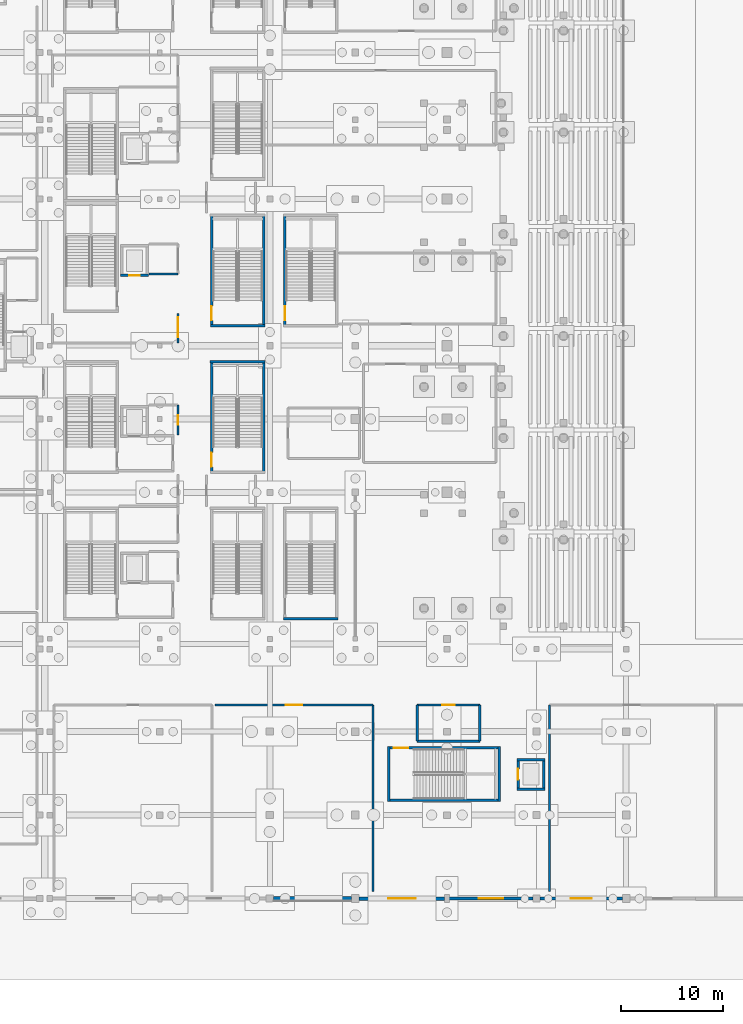
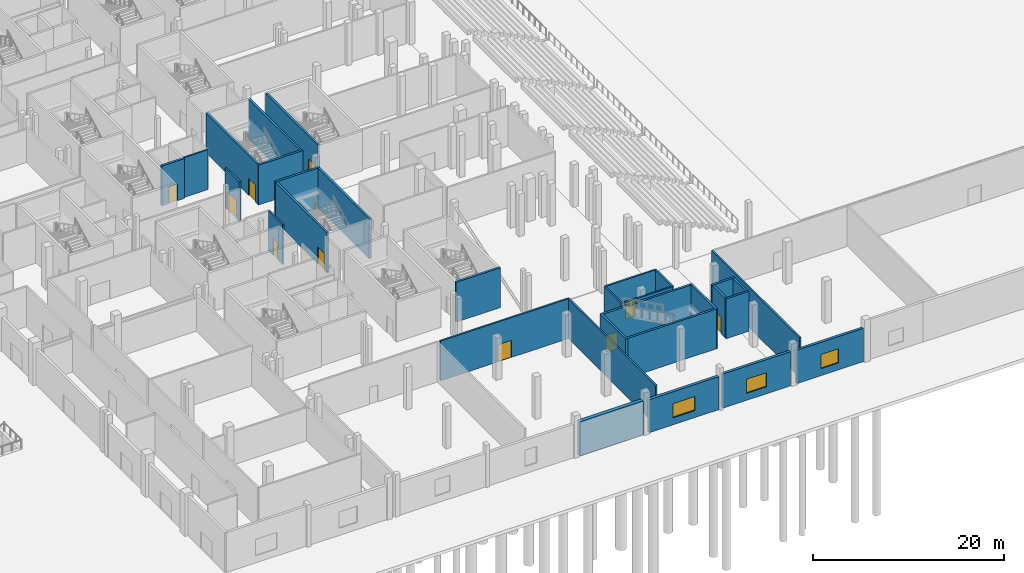
# One storey, part 31 of 89: 31 walls, 10 doors, 3 windows, 13 openings.
"""IFC4 building model written with IfcOpenShell, lengths in metres."""

from ifc_helpers import new_model, si_unit, direction, frame, frame_2d, origin, place, context, subcontext, project, spatial, rectangle, extrude, material, layer, layer_set, type_object, element, fill, save


model = new_model("IFC4")

# Units and contexts
model_context = context("Model", 3, precision=1e-05, world=origin(), true_north=direction((0.0, 1.0)))
body_context = subcontext(model_context, "Body", "Model", "MODEL_VIEW")
ifc_project = project(units=[si_unit("LENGTHUNIT", "METRE"), si_unit("AREAUNIT", "SQUARE_METRE"), si_unit("VOLUMEUNIT", "CUBIC_METRE"), si_unit("PLANEANGLEUNIT", "RADIAN"), si_unit("MASSUNIT", "GRAM", prefix="KILO")], contexts=[model_context])

# Site, building, storey
site_placement = place(None, origin())
site = spatial("IfcSite", under=ifc_project, at=site_placement, CompositionType="ELEMENT")
building_placement = place(site_placement, origin())
building = spatial("IfcBuilding", under=site, at=building_placement, Name="Koshinbarg Plaza Stadium", CompositionType="ELEMENT")
storey_placement = place(building_placement, origin())
storey = spatial("IfcBuildingStorey", under=building, at=storey_placement, Name="L00", CompositionType="ELEMENT", Elevation=0.0)

# Walls
ifc_material_1 = material(Name="Concrete C40/50", Category="concrete")
ifc_layer_1 = layer(ifc_material_1, 0.25)
ifc_layer_set_1 = layer_set([ifc_layer_1], Name="Concrete C40/50")
wall_type_1 = type_object("IfcWallType", Name="WL-CORE-250", PredefinedType="SHEAR", material=ifc_layer_set_1)
for number, where, z_axis, x_axis, name in (
    (1, (57.875, 14.919921875, 0.0), (0.0, 0.0, 1.0), (0.0, -1.0, 0.0), "L00 core stair shear wall C13-near IWL-L00-0290"),
    (2, (68.72509765625, 9.550048828125, 0.0), (0.0, 0.0, 1.0), (0.0, 1.0, 0.0), "L00 core stair shear wall C13-far IWL-L00-0291"),
):
    element("IfcWall", number, at=place(storey_placement, frame(where, z_axis=z_axis, x_axis=x_axis)), inside=storey, type_object=wall_type_1, Name=name, PredefinedType="SHEAR", context=body_context, shape_type="SweptSolid", body=[
        extrude(rectangle(XDim=5.369873046875, YDim=0.25, at=frame_2d((2.68505859375, 0.0))), origin(), (0.0, 0.0, 1.0), 5.080078125),
    ])

# Wall, opening, door
wall_1_placement = place(storey_placement, frame((57.875, 14.794921875, 0.0), z_axis=(0.0, 0.0, 1.0), x_axis=(1.0, 0.0, 0.0)))
wall_1 = element("IfcWall", 3, at=wall_1_placement, inside=storey, type_object=wall_type_1, Name="L00 core stair shear wall C13-left IWL-L00-0292", PredefinedType="SHEAR", context=body_context, shape_type="SweptSolid", body=[
    extrude(rectangle(XDim=10.85009765625, YDim=0.25, at=frame_2d((5.425048828125, 0.0))), origin(), (0.0, 0.0, 1.0), 5.080078125),
])
opening_1_placement = place(wall_1_placement, frame((0.52001953125, 0.0, 0.0)))
opening_1 = element("IfcOpeningElement", 4, at=opening_1_placement, cuts=wall_1, Name="Opening D-0135", PredefinedType="OPENING", context=body_context, shape_type="SweptSolid", body=[
    extrude(rectangle(XDim=1.39990234375, YDim=2.14990234375, at=frame_2d((0.699951171875, 1.074951171875))), frame((0.0, 0.135009765625, 0.0), z_axis=(0.0, -1.0, 0.0), x_axis=(1.0, 0.0, 0.0)), (0.0, 0.0, 1.0), 0.27001953125),
])
ifc_material_2 = material(Name="Painted galvanized steel fire door", Category="steel")
door_type_1 = type_object("IfcDoorType", Name="DR-STAIR-1400", OperationType="NOTDEFINED", PredefinedType="DOOR", material=ifc_material_2)
door_1_placement = place(opening_1_placement, origin())
door_1 = element("IfcDoor", 5, at=door_1_placement, inside=storey, type_object=door_type_1, Name="L00 exit stair door C13", OperationType="SINGLE_SWING_LEFT", OverallHeight=2.14990234375, OverallWidth=1.39990234375, PredefinedType="DOOR", context=body_context, shape_type="SweptSolid", body=[
    extrude(rectangle(XDim=1.39990234375, YDim=2.14990234375, at=frame_2d((0.699951171875, 1.074951171875))), frame((0.0, 0.02490234375, 0.0), z_axis=(0.0, -1.0, 0.0), x_axis=(1.0, 0.0, 0.0)), (0.0, 0.0, 1.0), 0.050048828125),
])
fill(opening_1, door_1)

# Walls
wall_2_placement = place(storey_placement, frame((57.875, 9.675048828125, 0.0), z_axis=(0.0, 0.0, 1.0), x_axis=(1.0, 0.0, 0.0)))
element("IfcWall", 6, at=wall_2_placement, inside=storey, type_object=wall_type_1, Name="L00 core stair shear wall C13-right IWL-L00-0293", PredefinedType="SHEAR", context=body_context, shape_type="SweptSolid", body=[
    extrude(rectangle(XDim=10.85009765625, YDim=0.25, at=frame_2d((5.425048828125, 0.0))), origin(), (0.0, 0.0, 1.0), 5.080078125),
])
wall_3_placement = place(storey_placement, frame((45.719970703125, 52.72509765625, 0.0), z_axis=(0.0, 0.0, 1.0), x_axis=(-1.0, 0.0, 0.0)))
element("IfcWall", 7, at=wall_3_placement, inside=storey, type_object=wall_type_1, Name="L00 vomitory stair shear wall VX02-far IWL-L00-0371", PredefinedType="SHEAR", context=body_context, shape_type="SweptSolid", body=[
    extrude(rectangle(XDim=5.369873046875, YDim=0.25, at=frame_2d((2.68505859375, 0.0))), origin(), (0.0, 0.0, 1.0), 5.080078125),
])

# Wall, opening, door
wall_4_placement = place(storey_placement, frame((40.47509765625, 41.875, 0.0), z_axis=(0.0, 0.0, 1.0), x_axis=(0.0, 1.0, 0.0)))
wall_4 = element("IfcWall", 8, at=wall_4_placement, inside=storey, type_object=wall_type_1, Name="L00 vomitory stair shear wall VX02-left IWL-L00-0372", PredefinedType="SHEAR", context=body_context, shape_type="SweptSolid", body=[
    extrude(rectangle(XDim=10.85009765625, YDim=0.25, at=frame_2d((5.425048828125, 0.0))), origin(), (0.0, 0.0, 1.0), 5.080078125),
])
opening_2_placement = place(wall_4_placement, frame((0.52001953125, 0.0, 0.0)))
opening_2 = element("IfcOpeningElement", 9, at=opening_2_placement, cuts=wall_4, Name="Opening D-0155", PredefinedType="OPENING", context=body_context, shape_type="SweptSolid", body=[
    extrude(rectangle(XDim=1.39990234375, YDim=2.14990234375, at=frame_2d((0.699951171875, 1.074951171875))), frame((0.0, 0.135009765625, 0.0), z_axis=(0.0, -1.0, 0.0), x_axis=(1.0, 0.0, 0.0)), (0.0, 0.0, 1.0), 0.27001953125),
])
door_2_placement = place(opening_2_placement, origin())
door_2 = element("IfcDoor", 10, at=door_2_placement, inside=storey, type_object=door_type_1, Name="L00 vomitory exit stair door VX02", OperationType="SINGLE_SWING_LEFT", OverallHeight=2.14990234375, OverallWidth=1.39990234375, PredefinedType="DOOR", context=body_context, shape_type="SweptSolid", body=[
    extrude(rectangle(XDim=1.39990234375, YDim=2.14990234375, at=frame_2d((0.699951171875, 1.074951171875))), frame((0.0, 0.02490234375, 0.0), z_axis=(0.0, -1.0, 0.0), x_axis=(1.0, 0.0, 0.0)), (0.0, 0.0, 1.0), 0.050048828125),
])
fill(opening_2, door_2)

# Walls
wall_5_placement = place(storey_placement, frame((45.594970703125, 41.875, 0.0), z_axis=(0.0, 0.0, 1.0), x_axis=(0.0, 1.0, 0.0)))
element("IfcWall", 11, at=wall_5_placement, inside=storey, type_object=wall_type_1, Name="L00 vomitory stair shear wall VX02-right IWL-L00-0373", PredefinedType="SHEAR", context=body_context, shape_type="SweptSolid", body=[
    extrude(rectangle(XDim=10.85009765625, YDim=0.25, at=frame_2d((5.425048828125, 0.0))), origin(), (0.0, 0.0, 1.0), 5.080078125),
])
wall_6_placement = place(storey_placement, frame((40.35009765625, 56.27490234375, 0.0), z_axis=(0.0, 0.0, 1.0), x_axis=(1.0, 0.0, 0.0)))
element("IfcWall", 12, at=wall_6_placement, inside=storey, type_object=wall_type_1, Name="L00 vomitory stair shear wall VX03-near IWL-L00-0386", PredefinedType="SHEAR", context=body_context, shape_type="SweptSolid", body=[
    extrude(rectangle(XDim=5.369873046875, YDim=0.25, at=frame_2d((2.68505859375, 0.0))), origin(), (0.0, 0.0, 1.0), 5.080078125),
])

# Wall, opening, door
wall_7_placement = place(storey_placement, frame((40.47509765625, 56.27490234375, 0.0), z_axis=(0.0, 0.0, 1.0), x_axis=(0.0, 1.0, 0.0)))
wall_7 = element("IfcWall", 13, at=wall_7_placement, inside=storey, type_object=wall_type_1, Name="L00 vomitory stair shear wall VX03-left IWL-L00-0388", PredefinedType="SHEAR", context=body_context, shape_type="SweptSolid", body=[
    extrude(rectangle(XDim=10.85009765625, YDim=0.25, at=frame_2d((5.425048828125, 0.0))), origin(), (0.0, 0.0, 1.0), 5.080078125),
])
opening_3_placement = place(wall_7_placement, frame((0.52001953125, 0.0, 0.0)))
opening_3 = element("IfcOpeningElement", 14, at=opening_3_placement, cuts=wall_7, Name="Opening D-0159", PredefinedType="OPENING", context=body_context, shape_type="SweptSolid", body=[
    extrude(rectangle(XDim=1.39990234375, YDim=2.14990234375, at=frame_2d((0.699951171875, 1.074951171875))), frame((0.0, 0.135009765625, 0.0), z_axis=(0.0, -1.0, 0.0), x_axis=(1.0, 0.0, 0.0)), (0.0, 0.0, 1.0), 0.27001953125),
])
door_3_placement = place(opening_3_placement, origin())
door_3 = element("IfcDoor", 15, at=door_3_placement, inside=storey, type_object=door_type_1, Name="L00 vomitory exit stair door VX03", OperationType="SINGLE_SWING_RIGHT", OverallHeight=2.14990234375, OverallWidth=1.39990234375, PredefinedType="DOOR", context=body_context, shape_type="SweptSolid", body=[
    extrude(rectangle(XDim=1.39990234375, YDim=2.14990234375, at=frame_2d((0.699951171875, 1.074951171875))), frame((0.0, 0.02490234375, 0.0), z_axis=(0.0, -1.0, 0.0), x_axis=(1.0, 0.0, 0.0)), (0.0, 0.0, 1.0), 0.050048828125),
])
fill(opening_3, door_3)

# Walls
wall_8_placement = place(storey_placement, frame((45.594970703125, 56.27490234375, 0.0), z_axis=(0.0, 0.0, 1.0), x_axis=(0.0, 1.0, 0.0)))
element("IfcWall", 16, at=wall_8_placement, inside=storey, type_object=wall_type_1, Name="L00 vomitory stair shear wall VX03-right IWL-L00-0389", PredefinedType="SHEAR", context=body_context, shape_type="SweptSolid", body=[
    extrude(rectangle(XDim=10.85009765625, YDim=0.25, at=frame_2d((5.425048828125, 0.0))), origin(), (0.0, 0.0, 1.0), 5.080078125),
])
wall_9_placement = place(storey_placement, frame((47.550048828125, 27.47509765625, 0.0), z_axis=(0.0, 0.0, 1.0), x_axis=(1.0, 0.0, 0.0)))
element("IfcWall", 17, at=wall_9_placement, inside=storey, type_object=wall_type_1, Name="L00 vomitory stair shear wall VL01-near IWL-L00-0546", PredefinedType="SHEAR", context=body_context, shape_type="SweptSolid", body=[
    extrude(rectangle(XDim=5.369873046875, YDim=0.25, at=frame_2d((2.68505859375, 0.0))), origin(), (0.0, 0.0, 1.0), 5.080078125),
])

# Wall, opening, door
wall_10_placement = place(storey_placement, frame((47.675048828125, 56.27490234375, 0.0), z_axis=(0.0, 0.0, 1.0), x_axis=(0.0, 1.0, 0.0)))
wall_10 = element("IfcWall", 18, at=wall_10_placement, inside=storey, type_object=wall_type_1, Name="L00 vomitory stair shear wall VL02-left IWL-L00-0556", PredefinedType="SHEAR", context=body_context, shape_type="SweptSolid", body=[
    extrude(rectangle(XDim=10.85009765625, YDim=0.25, at=frame_2d((5.425048828125, 0.0))), origin(), (0.0, 0.0, 1.0), 5.080078125),
])
opening_4_placement = place(wall_10_placement, frame((0.52001953125, 0.0, 0.0)))
opening_4 = element("IfcOpeningElement", 19, at=opening_4_placement, cuts=wall_10, Name="Opening D-0201", PredefinedType="OPENING", context=body_context, shape_type="SweptSolid", body=[
    extrude(rectangle(XDim=1.39990234375, YDim=2.14990234375, at=frame_2d((0.699951171875, 1.074951171875))), frame((0.0, 0.135009765625, 0.0), z_axis=(0.0, -1.0, 0.0), x_axis=(1.0, 0.0, 0.0)), (0.0, 0.0, 1.0), 0.27001953125),
])
door_4_placement = place(opening_4_placement, origin())
door_4 = element("IfcDoor", 20, at=door_4_placement, inside=storey, type_object=door_type_1, Name="L00 vomitory exit stair door VL02", OperationType="SINGLE_SWING_LEFT", OverallHeight=2.14990234375, OverallWidth=1.39990234375, PredefinedType="DOOR", context=body_context, shape_type="SweptSolid", body=[
    extrude(rectangle(XDim=1.39990234375, YDim=2.14990234375, at=frame_2d((0.699951171875, 1.074951171875))), frame((0.0, 0.02490234375, 0.0), z_axis=(0.0, -1.0, 0.0), x_axis=(1.0, 0.0, 0.0)), (0.0, 0.0, 1.0), 0.050048828125),
])
fill(opening_4, door_4)

wall_11_placement = place(storey_placement, frame((31.52490234375, 61.199951171875, 0.0), z_axis=(0.0, 0.0, 1.0), x_axis=(1.0, 0.0, 0.0)))
wall_11 = element("IfcWall", 21, at=wall_11_placement, inside=storey, type_object=wall_type_1, Name="L00 lift shaft shear wall LP01-S IWL-L00-0708", PredefinedType="SHEAR", context=body_context, shape_type="SweptSolid", body=[
    extrude(rectangle(XDim=2.75, YDim=0.25, at=frame_2d((1.375, 0.0))), origin(), (0.0, 0.0, 1.0), 5.080078125),
])
opening_5_placement = place(wall_11_placement, frame((0.85009765625, 0.0, 0.0)))
opening_5 = element("IfcOpeningElement", 22, at=opening_5_placement, cuts=wall_11, Name="Opening D-0243", PredefinedType="OPENING", context=body_context, shape_type="SweptSolid", body=[
    extrude(rectangle(XDim=1.050048828125, YDim=2.14990234375, at=frame_2d((0.52490234375, 1.074951171875))), frame((0.0, 0.135009765625, 0.0), z_axis=(0.0, -1.0, 0.0), x_axis=(1.0, 0.0, 0.0)), (0.0, 0.0, 1.0), 0.27001953125),
])
ifc_material_3 = material(Name="Brushed stainless steel sliding lift landing door", Category="steel")
door_type_2 = type_object("IfcDoorType", Name="DR-LIFT-1050", OperationType="NOTDEFINED", PredefinedType="DOOR", material=ifc_material_3)
door_5_placement = place(opening_5_placement, origin())
door_5 = element("IfcDoor", 23, at=door_5_placement, inside=storey, type_object=door_type_2, Name="L00 lift landing door LP01", OperationType="SLIDING_TO_RIGHT", OverallHeight=2.14990234375, OverallWidth=1.050048828125, PredefinedType="DOOR", context=body_context, shape_type="SweptSolid", body=[
    extrude(rectangle(XDim=1.050048828125, YDim=2.14990234375, at=frame_2d((0.52490234375, 1.074951171875))), frame((0.0, 0.02490234375, 0.0), z_axis=(0.0, -1.0, 0.0), x_axis=(1.0, 0.0, 0.0)), (0.0, 0.0, 1.0), 0.050048828125),
])
fill(opening_5, door_5)

# Walls
for number, where, z_axis, x_axis, name in (
    (24, (70.47509765625, 10.75, 0.0), (0.0, 0.0, 1.0), (1.0, 0.0, 0.0), "L00 lift shaft shear wall LP09-S IWL-L00-0990"),
    (25, (73.22509765625, 13.64990234375, 0.0), (0.0, 0.0, 1.0), (-1.0, 0.0, 0.0), "L00 lift shaft shear wall LP09-N IWL-L00-0991"),
):
    element("IfcWall", number, at=place(storey_placement, frame(where, z_axis=z_axis, x_axis=x_axis)), inside=storey, type_object=wall_type_1, Name=name, PredefinedType="SHEAR", context=body_context, shape_type="SweptSolid", body=[
        extrude(rectangle(XDim=2.75, YDim=0.25, at=frame_2d((1.375, 0.0))), origin(), (0.0, 0.0, 1.0), 5.080078125),
    ])

# Wall, opening, door
wall_12_placement = place(storey_placement, frame((70.60009765625, 13.64990234375, 0.0), z_axis=(0.0, 0.0, 1.0), x_axis=(0.0, -1.0, 0.0)))
wall_12 = element("IfcWall", 26, at=wall_12_placement, inside=storey, type_object=wall_type_1, Name="L00 lift shaft shear wall LP09-W IWL-L00-0992", PredefinedType="SHEAR", context=body_context, shape_type="SweptSolid", body=[
    extrude(rectangle(XDim=2.89990234375, YDim=0.25, at=frame_2d((1.449951171875, 0.0))), origin(), (0.0, 0.0, 1.0), 5.080078125),
])
opening_6_placement = place(wall_12_placement, frame((0.925048828125, 0.0, 0.0)))
opening_6 = element("IfcOpeningElement", 27, at=opening_6_placement, cuts=wall_12, Name="Opening D-0317", PredefinedType="OPENING", context=body_context, shape_type="SweptSolid", body=[
    extrude(rectangle(XDim=1.050048828125, YDim=2.14990234375, at=frame_2d((0.52490234375, 1.074951171875))), frame((0.0, 0.135009765625, 0.0), z_axis=(0.0, -1.0, 0.0), x_axis=(1.0, 0.0, 0.0)), (0.0, 0.0, 1.0), 0.27001953125),
])
door_6_placement = place(opening_6_placement, origin())
door_6 = element("IfcDoor", 28, at=door_6_placement, inside=storey, type_object=door_type_2, Name="L00 lift landing door LP09", OperationType="SLIDING_TO_RIGHT", OverallHeight=2.14990234375, OverallWidth=1.050048828125, PredefinedType="DOOR", context=body_context, shape_type="SweptSolid", body=[
    extrude(rectangle(XDim=1.050048828125, YDim=2.14990234375, at=frame_2d((0.52490234375, 1.074951171875))), frame((0.0, 0.02490234375, 0.0), z_axis=(0.0, -1.0, 0.0), x_axis=(1.0, 0.0, 0.0)), (0.0, 0.0, 1.0), 0.050048828125),
])
fill(opening_6, door_6)

# Wall
wall_13_placement = place(storey_placement, frame((73.10009765625, 10.75, 0.0), z_axis=(0.0, 0.0, 1.0), x_axis=(0.0, 1.0, 0.0)))
element("IfcWall", 29, at=wall_13_placement, inside=storey, type_object=wall_type_1, Name="L00 lift shaft shear wall LP09-E IWL-L00-0993", PredefinedType="SHEAR", context=body_context, shape_type="SweptSolid", body=[
    extrude(rectangle(XDim=2.89990234375, YDim=0.25, at=frame_2d((1.449951171875, 0.0))), origin(), (0.0, 0.0, 1.0), 5.080078125),
])

# Wall, opening, window
ifc_material_4 = material(Name="Off-white mineral plaster insulated wall", Category="masonry")
ifc_layer_2 = layer(ifc_material_4, 0.300048828125)
ifc_layer_set_2 = layer_set([ifc_layer_2], Name="Off-white mineral plaster insulated wall")
wall_type_2 = type_object("IfcWallType", Name="WL-EXT-300", PredefinedType="SOLIDWALL", material=ifc_layer_set_2)
wall_14_placement = place(storey_placement, frame((80.830078125, 0.0, 0.0), z_axis=(0.0, 0.0, 1.0), x_axis=(-1.0, 0.0, 0.0)))
wall_14 = element("IfcWall", 30, at=wall_14_placement, inside=storey, type_object=wall_type_2, Name="L00 exterior envelope wall EWL-L00-0065", PredefinedType="SOLIDWALL", context=body_context, shape_type="SweptSolid", body=[
    extrude(rectangle(XDim=8.0849609375, YDim=0.300048828125, at=frame_2d((4.04248046875, 0.0))), origin(), (0.0, 0.0, 1.0), 4.260009765625),
])
opening_7_placement = place(wall_14_placement, frame((2.992431640625, 0.0, 0.89990234375)))
opening_7 = element("IfcOpeningElement", 31, at=opening_7_placement, cuts=wall_14, Name="Opening WN10", PredefinedType="OPENING", context=body_context, shape_type="SweptSolid", body=[
    extrude(rectangle(XDim=2.10009765625, YDim=1.800048828125, at=frame_2d((1.050048828125, 0.89990234375))), frame((0.0, 0.159912109375, 0.0), z_axis=(0.0, -1.0, 0.0), x_axis=(1.0, 0.0, 0.0)), (0.0, 0.0, 1.0), 0.320068359375),
])
ifc_material_5 = material(Name="Solar-control double glazing in thermally broken aluminium frame", Category="aluminium")
window_type_1 = type_object("IfcWindowType", Name="WN-FAC-10", PartitioningType="DOUBLE_PANEL_VERTICAL", PredefinedType="WINDOW", material=ifc_material_5)
window_1_placement = place(opening_7_placement, origin())
window_1 = element("IfcWindow", 32, at=window_1_placement, inside=storey, type_object=window_type_1, Name="L00 facade window 0009", OverallHeight=1.800048828125, OverallWidth=2.10009765625, PartitioningType="SINGLE_PANEL", PredefinedType="WINDOW", context=body_context, shape_type="SweptSolid", body=[
    extrude(rectangle(XDim=2.10009765625, YDim=1.800048828125, at=frame_2d((1.050048828125, 0.89990234375))), frame((0.0, 0.030029296875, 0.0), z_axis=(0.0, -1.0, 0.0), x_axis=(1.0, 0.0, 0.0)), (0.0, 0.0, 1.0), 0.06005859375),
])
fill(opening_7, window_1)

ifc_material_6 = material(Name="Ultramarine-blue pigmented mineral plaster facade wall", Category="masonry")
ifc_layer_3 = layer(ifc_material_6, 0.320068359375)
ifc_layer_set_3 = layer_set([ifc_layer_3], Name="Ultramarine-blue pigmented mineral plaster facade wall")
wall_type_3 = type_object("IfcWallType", Name="WL-EXT-320", PredefinedType="SOLIDWALL", material=ifc_layer_set_3)
wall_15_placement = place(storey_placement, frame((72.054931640625, 0.0, 0.0), z_axis=(0.0, 0.0, 1.0), x_axis=(-1.0, 0.0, 0.0)))
wall_15 = element("IfcWall", 33, at=wall_15_placement, inside=storey, type_object=wall_type_3, Name="L00 exterior envelope wall EWL-L00-0066", PredefinedType="SOLIDWALL", context=body_context, shape_type="SweptSolid", body=[
    extrude(rectangle(XDim=8.23486328125, YDim=0.320068359375, at=frame_2d((4.117431640625, 0.0))), origin(), (0.0, 0.0, 1.0), 4.360107421875),
])
opening_8_placement = place(wall_15_placement, frame((2.91748046875, 0.0, 0.89990234375)))
opening_8 = element("IfcOpeningElement", 34, at=opening_8_placement, cuts=wall_15, Name="Opening WN11", PredefinedType="OPENING", context=body_context, shape_type="SweptSolid", body=[
    extrude(rectangle(XDim=2.39990234375, YDim=1.800048828125, at=frame_2d((1.199951171875, 0.89990234375))), frame((0.0, 0.169921875, 0.0), z_axis=(0.0, -1.0, 0.0), x_axis=(1.0, 0.0, 0.0)), (0.0, 0.0, 1.0), 0.340087890625),
])
window_type_2 = type_object("IfcWindowType", Name="WN-FAC-11", PartitioningType="DOUBLE_PANEL_VERTICAL", PredefinedType="WINDOW", material=ifc_material_5)
window_2_placement = place(opening_8_placement, origin())
window_2 = element("IfcWindow", 35, at=window_2_placement, inside=storey, type_object=window_type_2, Name="L00 facade window 0010", OverallHeight=1.800048828125, OverallWidth=2.39990234375, PartitioningType="SINGLE_PANEL", PredefinedType="WINDOW", context=body_context, shape_type="SweptSolid", body=[
    extrude(rectangle(XDim=2.39990234375, YDim=1.800048828125, at=frame_2d((1.199951171875, 0.89990234375))), frame((0.0, 0.030029296875, 0.0), z_axis=(0.0, -1.0, 0.0), x_axis=(1.0, 0.0, 0.0)), (0.0, 0.0, 1.0), 0.06005859375),
])
fill(opening_8, window_2)

ifc_material_7 = material(Name="Acoustic insulated masonry stadium wall", Category="masonry")
ifc_layer_4 = layer(ifc_material_7, 0.35009765625)
ifc_layer_set_4 = layer_set([ifc_layer_4], Name="Acoustic insulated masonry stadium wall")
wall_type_4 = type_object("IfcWallType", Name="WL-EXT-350", PredefinedType="SOLIDWALL", material=ifc_layer_set_4)
wall_16_placement = place(storey_placement, frame((63.3798828125, 0.0, 0.0), z_axis=(0.0, 0.0, 1.0), x_axis=(-1.0, 0.0, 0.0)))
wall_16 = element("IfcWall", 36, at=wall_16_placement, inside=storey, type_object=wall_type_4, Name="L00 exterior envelope wall EWL-L00-0067", PredefinedType="SOLIDWALL", context=body_context, shape_type="SweptSolid", body=[
    extrude(rectangle(XDim=8.409912109375, YDim=0.35009765625, at=frame_2d((4.205078125, 0.0))), origin(), (0.0, 0.0, 1.0), 4.2099609375),
])
opening_9_placement = place(wall_16_placement, frame((2.85498046875, 0.0, 0.89990234375)))
opening_9 = element("IfcOpeningElement", 37, at=opening_9_placement, cuts=wall_16, Name="Opening WN12", PredefinedType="OPENING", context=body_context, shape_type="SweptSolid", body=[
    extrude(rectangle(XDim=2.699951171875, YDim=1.800048828125, at=frame_2d((1.35009765625, 0.89990234375))), frame((0.0, 0.18505859375, 0.0), z_axis=(0.0, -1.0, 0.0), x_axis=(1.0, 0.0, 0.0)), (0.0, 0.0, 1.0), 0.3701171875),
])
window_type_3 = type_object("IfcWindowType", Name="WN-FAC-12", PartitioningType="DOUBLE_PANEL_VERTICAL", PredefinedType="WINDOW", material=ifc_material_5)
window_3_placement = place(opening_9_placement, origin())
window_3 = element("IfcWindow", 38, at=window_3_placement, inside=storey, type_object=window_type_3, Name="L00 facade window 0011", OverallHeight=1.800048828125, OverallWidth=2.699951171875, PartitioningType="SINGLE_PANEL", PredefinedType="WINDOW", context=body_context, shape_type="SweptSolid", body=[
    extrude(rectangle(XDim=2.699951171875, YDim=1.800048828125, at=frame_2d((1.35009765625, 0.89990234375))), frame((0.0, 0.030029296875, 0.0), z_axis=(0.0, -1.0, 0.0), x_axis=(1.0, 0.0, 0.0)), (0.0, 0.0, 1.0), 0.06005859375),
])
fill(opening_9, window_3)

# Wall, opening, door
ifc_material_8 = material(Name="Autoclaved aerated blockwork fire partition", Category="masonry")
ifc_layer_5 = layer(ifc_material_8, 0.199951171875)
ifc_layer_set_5 = layer_set([ifc_layer_5], Name="Autoclaved aerated blockwork fire partition")
wall_type_5 = type_object("IfcWallType", Name="WL-PART-200", PredefinedType="PARTITIONING", material=ifc_layer_set_5)
wall_17_placement = place(storey_placement, frame((37.199951171875, 45.530029296875, 0.0), z_axis=(0.0, 0.0, 1.0), x_axis=(0.0, 1.0, 0.0)))
wall_17 = element("IfcWall", 39, at=wall_17_placement, inside=storey, type_object=wall_type_5, Name="L00 interior partition L00-75-east IWL-L00-1075", PredefinedType="PARTITIONING", context=body_context, shape_type="SweptSolid", body=[
    extrude(rectangle(XDim=2.949951171875, YDim=0.199951171875, at=frame_2d((1.47509765625, 0.0))), origin(), (0.0, 0.0, 1.0), 5.080078125),
])
opening_10_placement = place(wall_17_placement, frame((1.014892578125, 0.0, 0.0)))
opening_10 = element("IfcOpeningElement", 40, at=opening_10_placement, cuts=wall_17, Name="Opening D-0344", PredefinedType="OPENING", context=body_context, shape_type="SweptSolid", body=[
    extrude(rectangle(XDim=0.919921875, YDim=2.10009765625, at=frame_2d((0.4599609375, 1.050048828125))), frame((0.0, 0.10986328125, 0.0), z_axis=(0.0, -1.0, 0.0), x_axis=(1.0, 0.0, 0.0)), (0.0, 0.0, 1.0), 0.219970703125),
])
ifc_material_9 = material(Name="Solid-core oak veneer acoustic door")
door_type_3 = type_object("IfcDoorType", Name="DR-INT-0920x2100", OperationType="NOTDEFINED", PredefinedType="DOOR", material=ifc_material_9)
door_7_placement = place(opening_10_placement, origin())
door_7 = element("IfcDoor", 41, at=door_7_placement, inside=storey, type_object=door_type_3, Name="L00 Match Officials Suite door D-0344", OperationType="SINGLE_SWING_RIGHT", OverallHeight=2.10009765625, OverallWidth=0.919921875, PredefinedType="DOOR", context=body_context, shape_type="SweptSolid", body=[
    extrude(rectangle(XDim=0.919921875, YDim=2.10009765625, at=frame_2d((0.4599609375, 1.050048828125))), frame((0.0, 0.02490234375, 0.0), z_axis=(0.0, -1.0, 0.0), x_axis=(1.0, 0.0, 0.0)), (0.0, 0.0, 1.0), 0.050048828125),
])
fill(opening_10, door_7)

wall_18_placement = place(storey_placement, frame((37.199951171875, 54.570068359375, 0.0), z_axis=(0.0, 0.0, 1.0), x_axis=(0.0, 1.0, 0.0)))
wall_18 = element("IfcWall", 42, at=wall_18_placement, inside=storey, type_object=wall_type_5, Name="L00 interior partition L00-77-east IWL-L00-1082", PredefinedType="PARTITIONING", context=body_context, shape_type="SweptSolid", body=[
    extrude(rectangle(XDim=2.89990234375, YDim=0.199951171875, at=frame_2d((1.449951171875, 0.0))), origin(), (0.0, 0.0, 1.0), 5.080078125),
])
opening_11_placement = place(wall_18_placement, frame((0.580322265625, 0.0, 0.0)))
opening_11 = element("IfcOpeningElement", 43, at=opening_11_placement, cuts=wall_18, Name="Opening D-0346", PredefinedType="OPENING", context=body_context, shape_type="SweptSolid", body=[
    extrude(rectangle(XDim=1.9599609375, YDim=2.300048828125, at=frame_2d((0.97998046875, 1.14990234375))), frame((0.0, 0.10986328125, 0.0), z_axis=(0.0, -1.0, 0.0), x_axis=(1.0, 0.0, 0.0)), (0.0, 0.0, 1.0), 0.219970703125),
])
ifc_material_10 = material(Name="Bronze-anodised aluminium glazed double door", Category="aluminium")
door_type_4 = type_object("IfcDoorType", Name="DR-INT-1960x2300", OperationType="NOTDEFINED", PredefinedType="DOOR", material=ifc_material_10)
door_8_placement = place(opening_11_placement, origin())
door_8 = element("IfcDoor", 44, at=door_8_placement, inside=storey, type_object=door_type_4, Name="L00 Match Officials Suite door D-0346", OperationType="DOUBLE_DOOR_SINGLE_SWING", OverallHeight=2.300048828125, OverallWidth=1.9599609375, PredefinedType="DOOR", context=body_context, shape_type="SweptSolid", body=[
    extrude(rectangle(XDim=1.9599609375, YDim=2.300048828125, at=frame_2d((0.97998046875, 1.14990234375))), frame((0.0, 0.02490234375, 0.0), z_axis=(0.0, -1.0, 0.0), x_axis=(1.0, 0.0, 0.0)), (0.0, 0.0, 1.0), 0.050048828125),
])
fill(opening_11, door_8)

# Walls
wall_19_placement = place(storey_placement, frame((34.330078125, 61.330078125, 0.0), z_axis=(0.0, 0.0, 1.0), x_axis=(1.0, 0.0, 0.0)))
element("IfcWall", 45, at=wall_19_placement, inside=storey, type_object=wall_type_5, Name="L00 interior partition L00-78-south IWL-L00-1084", PredefinedType="PARTITIONING", context=body_context, shape_type="SweptSolid", body=[
    extrude(rectangle(XDim=2.869873046875, YDim=0.199951171875, at=frame_2d((1.43505859375, 0.0))), origin(), (0.0, 0.0, 1.0), 5.080078125),
])
wall_20_placement = place(storey_placement, frame((56.318359375, 0.699951171875, 0.0), z_axis=(0.0, 0.0, 1.0), x_axis=(0.0, 1.0, 0.0)))
element("IfcWall", 46, at=wall_20_placement, inside=storey, type_object=wall_type_5, Name="L00 interior partition L00-137-east IWL-L00-1243", PredefinedType="PARTITIONING", context=body_context, shape_type="SweptSolid", body=[
    extrude(rectangle(XDim=18.300048828125, YDim=0.199951171875, at=frame_2d((9.14990234375, 0.0))), origin(), (0.0, 0.0, 1.0), 5.080078125),
])

# Wall, opening, door
wall_21_placement = place(storey_placement, frame((56.318359375, 19.0, 0.0), z_axis=(0.0, 0.0, 1.0), x_axis=(-1.0, 0.0, 0.0)))
wall_21 = element("IfcWall", 47, at=wall_21_placement, inside=storey, type_object=wall_type_5, Name="L00 interior partition L00-137-north IWL-L00-1244", PredefinedType="PARTITIONING", context=body_context, shape_type="SweptSolid", body=[
    extrude(rectangle(XDim=15.51171875, YDim=0.199951171875, at=frame_2d((7.755859375, 0.0))), origin(), (0.0, 0.0, 1.0), 5.080078125),
])
opening_12_placement = place(wall_21_placement, frame((6.955810546875, 0.0, 0.0)))
opening_12 = element("IfcOpeningElement", 48, at=opening_12_placement, cuts=wall_21, Name="Opening D-0406", PredefinedType="OPENING", context=body_context, shape_type="SweptSolid", body=[
    extrude(rectangle(XDim=1.60009765625, YDim=2.199951171875, at=frame_2d((0.800048828125, 1.10009765625))), frame((0.0, 0.10986328125, 0.0), z_axis=(0.0, -1.0, 0.0), x_axis=(1.0, 0.0, 0.0)), (0.0, 0.0, 1.0), 0.219970703125),
])
ifc_material_11 = material(Name="Double acoustic steel plant fire door", Category="steel")
door_type_5 = type_object("IfcDoorType", Name="DR-PLANT-1600", OperationType="NOTDEFINED", PredefinedType="DOOR", material=ifc_material_11)
door_9_placement = place(opening_12_placement, origin())
door_9 = element("IfcDoor", 49, at=door_9_placement, inside=storey, type_object=door_type_5, Name="L00 Standby Power Hall door D-0406", OperationType="DOUBLE_DOOR_SINGLE_SWING", OverallHeight=2.199951171875, OverallWidth=1.60009765625, PredefinedType="DOOR", context=body_context, shape_type="SweptSolid", body=[
    extrude(rectangle(XDim=1.60009765625, YDim=2.199951171875, at=frame_2d((0.800048828125, 1.10009765625))), frame((0.0, 0.02490234375, 0.0), z_axis=(0.0, -1.0, 0.0), x_axis=(1.0, 0.0, 0.0)), (0.0, 0.0, 1.0), 0.050048828125),
])
fill(opening_12, door_9)

# Walls
wall_22_placement = place(storey_placement, frame((60.679931640625, 15.449951171875, 0.0), z_axis=(0.0, 0.0, 1.0), x_axis=(1.0, 0.0, 0.0)))
element("IfcWall", 50, at=wall_22_placement, inside=storey, type_object=wall_type_5, Name="L00 interior partition L00-138-south IWL-L00-1245", PredefinedType="PARTITIONING", context=body_context, shape_type="SweptSolid", body=[
    extrude(rectangle(XDim=6.14013671875, YDim=0.199951171875, at=frame_2d((3.070068359375, 0.0))), origin(), (0.0, 0.0, 1.0), 5.080078125),
])
wall_23_placement = place(storey_placement, frame((66.820068359375, 15.449951171875, 0.0), z_axis=(0.0, 0.0, 1.0), x_axis=(0.0, 1.0, 0.0)))
element("IfcWall", 51, at=wall_23_placement, inside=storey, type_object=wall_type_5, Name="L00 interior partition L00-138-east IWL-L00-1246", PredefinedType="PARTITIONING", context=body_context, shape_type="SweptSolid", body=[
    extrude(rectangle(XDim=3.550048828125, YDim=0.199951171875, at=frame_2d((1.77490234375, 0.0))), origin(), (0.0, 0.0, 1.0), 5.080078125),
])

# Wall, opening, door
wall_24_placement = place(storey_placement, frame((66.820068359375, 19.0, 0.0), z_axis=(0.0, 0.0, 1.0), x_axis=(-1.0, 0.0, 0.0)))
wall_24 = element("IfcWall", 52, at=wall_24_placement, inside=storey, type_object=wall_type_5, Name="L00 interior partition L00-138-north IWL-L00-1247", PredefinedType="PARTITIONING", context=body_context, shape_type="SweptSolid", body=[
    extrude(rectangle(XDim=6.14013671875, YDim=0.199951171875, at=frame_2d((3.070068359375, 0.0))), origin(), (0.0, 0.0, 1.0), 5.080078125),
])
opening_13_placement = place(wall_24_placement, frame((2.469970703125, 0.0, 0.0)))
opening_13 = element("IfcOpeningElement", 53, at=opening_13_placement, cuts=wall_24, Name="Opening D-0407", PredefinedType="OPENING", context=body_context, shape_type="SweptSolid", body=[
    extrude(rectangle(XDim=1.199951171875, YDim=2.14990234375, at=frame_2d((0.60009765625, 1.074951171875))), frame((0.0, 0.10986328125, 0.0), z_axis=(0.0, -1.0, 0.0), x_axis=(1.0, 0.0, 0.0)), (0.0, 0.0, 1.0), 0.219970703125),
])
ifc_material_12 = material(Name="Solid-core hardwood leaf in painted steel frame", Category="steel")
door_type_6 = type_object("IfcDoorType", Name="DR-INT-1200x2150", OperationType="NOTDEFINED", PredefinedType="DOOR", material=ifc_material_12)
door_10_placement = place(opening_13_placement, origin())
door_10 = element("IfcDoor", 54, at=door_10_placement, inside=storey, type_object=door_type_6, Name="L00 Home Athlete Changing Suite door D-0407", OperationType="SINGLE_SWING_LEFT", OverallHeight=2.14990234375, OverallWidth=1.199951171875, PredefinedType="DOOR", context=body_context, shape_type="SweptSolid", body=[
    extrude(rectangle(XDim=1.199951171875, YDim=2.14990234375, at=frame_2d((0.60009765625, 1.074951171875))), frame((0.0, 0.02490234375, 0.0), z_axis=(0.0, -1.0, 0.0), x_axis=(1.0, 0.0, 0.0)), (0.0, 0.0, 1.0), 0.050048828125),
])
fill(opening_13, door_10)

# Walls
wall_25_placement = place(storey_placement, frame((60.679931640625, 19.0, 0.0), z_axis=(0.0, 0.0, 1.0), x_axis=(0.0, -1.0, 0.0)))
element("IfcWall", 55, at=wall_25_placement, inside=storey, type_object=wall_type_5, Name="L00 interior partition L00-138-west IWL-L00-1248", PredefinedType="PARTITIONING", context=body_context, shape_type="SweptSolid", body=[
    extrude(rectangle(XDim=3.550048828125, YDim=0.199951171875, at=frame_2d((1.77490234375, 0.0))), origin(), (0.0, 0.0, 1.0), 5.080078125),
])
wall_26_placement = place(storey_placement, frame((73.679931640625, 19.0, 0.0), z_axis=(0.0, 0.0, 1.0), x_axis=(0.0, -1.0, 0.0)))
element("IfcWall", 56, at=wall_26_placement, inside=storey, type_object=wall_type_5, Name="L00 interior partition L00-139-west IWL-L00-1250", PredefinedType="PARTITIONING", context=body_context, shape_type="SweptSolid", body=[
    extrude(rectangle(XDim=18.300048828125, YDim=0.199951171875, at=frame_2d((9.14990234375, 0.0))), origin(), (0.0, 0.0, 1.0), 5.080078125),
])
ifc_layer_6 = layer(ifc_material_1, 0.449951171875)
ifc_layer_set_6 = layer_set([ifc_layer_6], Name="Concrete C40/50")
wall_type_6 = type_object("IfcWallType", Name="WL-PYLON-450", PredefinedType="SHEAR", material=ifc_layer_set_6)
wall_27_placement = place(storey_placement, frame((54.22998046875, 0.0, 0.0), z_axis=(0.0, 0.0, 1.0), x_axis=(-1.0, 0.0, 0.0)))
element("IfcWall", 57, at=wall_27_placement, inside=storey, type_object=wall_type_6, Name="L00 exterior shear pylon wall EWL-L00-0068", PredefinedType="SHEAR", context=body_context, shape_type="SweptSolid", body=[
    extrude(rectangle(XDim=7.68505859375, YDim=0.449951171875, at=frame_2d((3.842529296875, 0.0))), origin(), (0.0, 0.0, 1.0), 4.360107421875),
])

save(model, "model.ifc")
